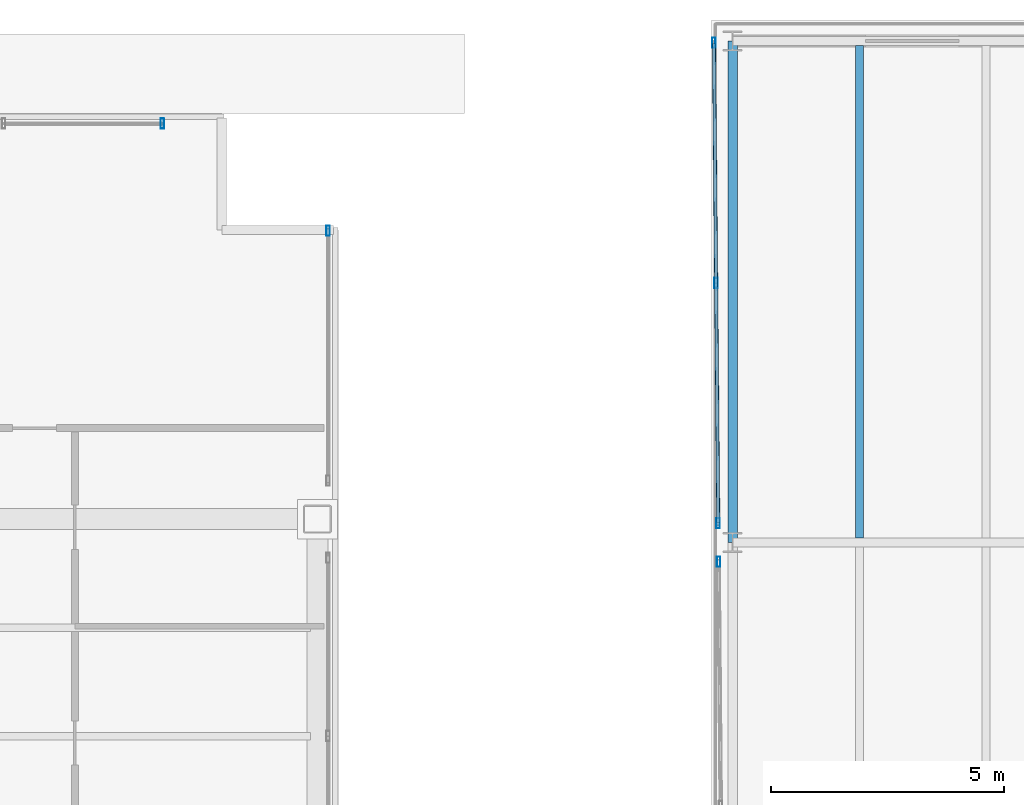
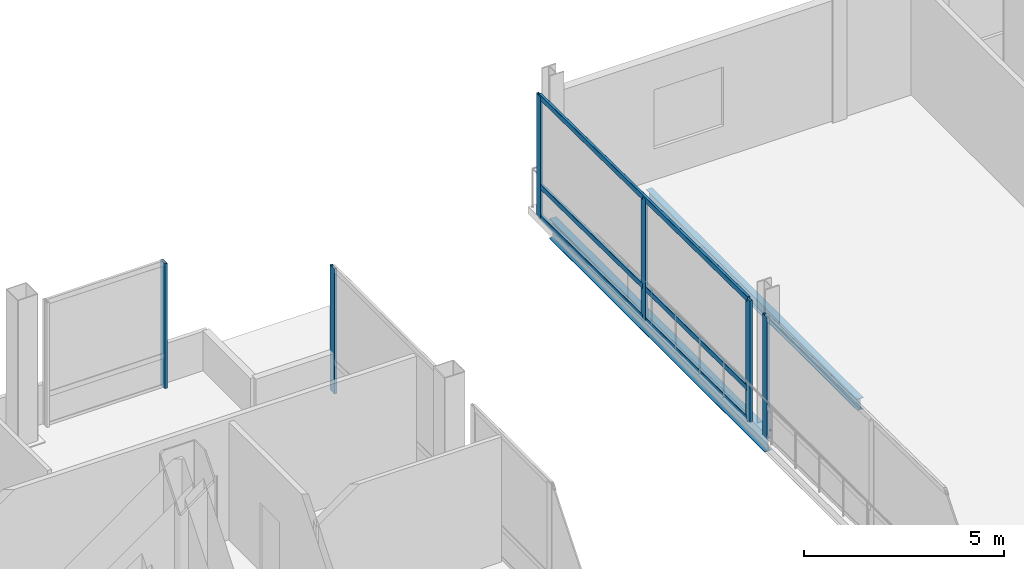
# One storey, part 22 of 34: 9 members, 2 beams, 4 elements without a shape of their own.
"""IFC4 building model written with IfcOpenShell, lengths in metres."""

from ifc_helpers import new_model, si_unit, direction, frame, origin, origin_2d, place, context, subcontext, project, spatial, hollow_rectangle, i_section, extrude, material, material_profile, profile_set, type_object, element, aggregate, save


model = new_model("IFC4")

# Units and contexts
model_context = context("Model", 3, precision=1e-05, world=origin(), true_north=direction((0.0, 1.0)))
body_context = subcontext(model_context, "Body", "Model", "MODEL_VIEW")
ifc_project = project(units=[si_unit("LENGTHUNIT", "METRE"), si_unit("AREAUNIT", "SQUARE_METRE"), si_unit("VOLUMEUNIT", "CUBIC_METRE"), si_unit("PLANEANGLEUNIT", "RADIAN"), si_unit("MASSUNIT", "GRAM", prefix="KILO")], contexts=[model_context])

# Site, building, storey
site_placement = place(None, origin())
site = spatial("IfcSite", under=ifc_project, at=site_placement, CompositionType="ELEMENT")
building_placement = place(site_placement, origin())
building = spatial("IfcBuilding", under=site, at=building_placement, Name="Noeulbin Bourse Tower", CompositionType="ELEMENT")
storey_placement = place(building_placement, frame((0.0, 0.0, 22.0)))
storey = spatial("IfcBuildingStorey", under=building, at=storey_placement, Name="L05", CompositionType="ELEMENT", Elevation=22.0)

# Beams
ifc_material_1 = material(Name="Steel S355", Category="steel")
ifc_material_profile_1 = material_profile(ifc_material_1, i_section(OverallWidth=0.199951171875, OverallDepth=0.60009765625, WebThickness=0.010986328125, FlangeThickness=0.01708984375, FilletRadius=0.02197265625, at=origin_2d()), Name="H-600x200x11x17", Category="LoadBearing")
ifc_profile_set_1 = profile_set([ifc_material_profile_1], Name="Steel S355")
beam_type_1 = type_object("IfcBeamType", Name="BM-GRD-600", PredefinedType="USERDEFINED", material=ifc_profile_set_1)
beam_1_placement = place(storey_placement, frame((60.449951171875, 37.800048828125, -0.52001953125), z_axis=(0.0, 1.0, 0.0), x_axis=(-1.0, 0.0, 0.0)))
element("IfcBeam", 1, at=beam_1_placement, inside=storey, type_object=beam_type_1, Name="Market Hall Girder NS L05-14", ObjectType="GIRDER", PredefinedType="USERDEFINED", context=body_context, shape_type="SweptSolid", body=[
    extrude(i_section(OverallWidth=0.199951171875, OverallDepth=0.60009765625, WebThickness=0.010986328125, FlangeThickness=0.01708984375, FilletRadius=0.02197265625, at=origin_2d()), origin(), (0.0, 0.0, 1.0), 10.75),
])
ifc_material_profile_2 = material_profile(ifc_material_1, i_section(OverallWidth=0.175048828125, OverallDepth=0.35009765625, WebThickness=0.007080078125, FlangeThickness=0.010986328125, FilletRadius=0.013916015625, at=origin_2d()), Name="H-350x175x7x11", Category="LoadBearing")
ifc_profile_set_2 = profile_set([ifc_material_profile_2], Name="Steel S355")
beam_type_2 = type_object("IfcBeamType", Name="BM-JST-350", PredefinedType="JOIST", material=ifc_profile_set_2)
beam_2_placement = place(storey_placement, frame((63.166748046875, 37.89990234375, -0.39501953125), z_axis=(0.0, 1.0, 0.0), x_axis=(-1.0, 0.0, 0.0)))
element("IfcBeam", 2, at=beam_2_placement, inside=storey, type_object=beam_type_2, Name="Market Hall Secondary Joist L05-04", PredefinedType="JOIST", context=body_context, shape_type="SweptSolid", body=[
    extrude(i_section(OverallWidth=0.175048828125, OverallDepth=0.35009765625, WebThickness=0.007080078125, FlangeThickness=0.010986328125, FilletRadius=0.013916015625, at=origin_2d()), origin(), (0.0, 0.0, 1.0), 10.550048828125),
])

# Curtain wall, member
ifc_material_2 = material(Name="Laminated Clear Low-E Glass", Category="glass")
curtain_wall_type_1 = type_object("IfcCurtainWallType", Name="CW-SYS-1", PredefinedType="NOTDEFINED", material=ifc_material_2)
curtain_wall_1_placement = place(storey_placement, origin())
curtain_wall_1 = element("IfcCurtainWall", 3, at=curtain_wall_1_placement, inside=storey, type_object=curtain_wall_type_1, Name="Unitised Curtain Wall CW-L05-MKT-W-S4", PredefinedType="NOTDEFINED")
ifc_material_3 = material(Name="Anodised Aluminium 6063-T6", Category="aluminium")
ifc_material_profile_3 = material_profile(ifc_material_3, hollow_rectangle(XDim=0.074951171875, YDim=0.219970703125, WallThickness=0.0048828125, InnerFilletRadius=0.00244140625, OuterFilletRadius=0.0048828125, at=origin_2d()), Name="ALU-MULL-75x220x5", Category="LoadBearing")
ifc_profile_set_3 = profile_set([ifc_material_profile_3], Name="Anodised Aluminium 6063-T6")
member_type_1 = type_object("IfcMemberType", Name="CW-SYS-1-MUL", PredefinedType="MULLION", material=ifc_profile_set_3)
member_1_placement = place(storey_placement, frame((60.149169921875, 37.385986328125, -0.02001953125), z_axis=(0.0, 0.0, 1.0), x_axis=(1.0, 0.0, 0.0)))
member_1 = element("IfcMember", 4, at=member_1_placement, type_object=member_type_1, Name="Curtain Wall Mullion CW-L05-MKT-W-S4-M02", PredefinedType="MULLION", context=body_context, shape_type="SweptSolid", body=[
    extrude(hollow_rectangle(XDim=0.074951171875, YDim=0.219970703125, WallThickness=0.0048828125, InnerFilletRadius=0.00244140625, OuterFilletRadius=0.0048828125, at=origin_2d()), origin(), (0.0, 0.0, 1.0), 3.7099609375),
])
aggregate(curtain_wall_1, [member_1])

# Curtain wall, members
curtain_wall_2_placement = place(storey_placement, origin())
curtain_wall_2 = element("IfcCurtainWall", 5, at=curtain_wall_2_placement, inside=storey, type_object=curtain_wall_type_1, Name="Unitised Curtain Wall CW-L05-MKT-W-S5", PredefinedType="NOTDEFINED")
member_2_placement = place(storey_placement, frame((60.1416015625, 38.214111328125, -0.02001953125), z_axis=(0.0, 0.0, 1.0), x_axis=(1.0, 0.0, 0.0)))
member_2 = element("IfcMember", 6, at=member_2_placement, type_object=member_type_1, Name="Curtain Wall Mullion CW-L05-MKT-W-S5-M00", PredefinedType="MULLION", context=body_context, shape_type="SweptSolid", body=[
    extrude(hollow_rectangle(XDim=0.074951171875, YDim=0.219970703125, WallThickness=0.0048828125, InnerFilletRadius=0.00244140625, OuterFilletRadius=0.0048828125, at=origin_2d()), origin(), (0.0, 0.0, 1.0), 3.7099609375),
])
member_3_placement = place(storey_placement, frame((60.095947265625, 43.362060546875, -0.02001953125), z_axis=(0.0, 0.0, 1.0), x_axis=(1.0, 0.0, 0.0)))
member_3 = element("IfcMember", 7, at=member_3_placement, type_object=member_type_1, Name="Curtain Wall Mullion CW-L05-MKT-W-S5-M01", PredefinedType="MULLION", context=body_context, shape_type="SweptSolid", body=[
    extrude(hollow_rectangle(XDim=0.074951171875, YDim=0.219970703125, WallThickness=0.0048828125, InnerFilletRadius=0.00244140625, OuterFilletRadius=0.0048828125, at=origin_2d()), origin(), (0.0, 0.0, 1.0), 3.7099609375),
])
member_4_placement = place(storey_placement, frame((60.05029296875, 48.510009765625, -0.02001953125), z_axis=(0.0, 0.0, 1.0), x_axis=(1.0, 0.0, 0.0)))
member_4 = element("IfcMember", 8, at=member_4_placement, type_object=member_type_1, Name="Curtain Wall Mullion CW-L05-MKT-W-S5-M02", PredefinedType="MULLION", context=body_context, shape_type="SweptSolid", body=[
    extrude(hollow_rectangle(XDim=0.074951171875, YDim=0.219970703125, WallThickness=0.0048828125, InnerFilletRadius=0.00244140625, OuterFilletRadius=0.0048828125, at=origin_2d()), origin(), (0.0, 0.0, 1.0), 3.7099609375),
])
ifc_material_profile_4 = material_profile(ifc_material_3, hollow_rectangle(XDim=0.074951171875, YDim=0.159912109375, WallThickness=0.0048828125, InnerFilletRadius=0.00244140625, OuterFilletRadius=0.0048828125, at=origin_2d()), Name="ALU-TRAN-75x160x5", Category="LoadBearing")
ifc_profile_set_4 = profile_set([ifc_material_profile_4], Name="Anodised Aluminium 6063-T6")
member_type_2 = type_object("IfcMemberType", Name="CW-SYS-1-TRN", PredefinedType="USERDEFINED", material=ifc_profile_set_4)
member_5_placement = place(storey_placement, frame((60.1416015625, 38.22412109375, 0.010009765625), z_axis=(-0.008885370304, 0.999960524318, 0.0), x_axis=(-0.999960524318, -0.008885370304, 0.0)))
member_5 = element("IfcMember", 9, at=member_5_placement, type_object=member_type_2, Name="Curtain Wall Transom CW-L05-MKT-W-S5-T00", ObjectType="TRANSOM", PredefinedType="USERDEFINED", context=body_context, shape_type="SweptSolid", body=[
    extrude(hollow_rectangle(XDim=0.074951171875, YDim=0.159912109375, WallThickness=0.0048828125, InnerFilletRadius=0.00244140625, OuterFilletRadius=0.0048828125, at=origin_2d()), origin(), (0.0, 0.0, 1.0), 10.2763671875),
])
member_6_placement = place(storey_placement, frame((60.1416015625, 38.22412109375, 0.949951171875), z_axis=(-0.008885370304, 0.999960524318, 0.0), x_axis=(-0.999960524318, -0.008885370304, 0.0)))
member_6 = element("IfcMember", 10, at=member_6_placement, type_object=member_type_2, Name="Curtain Wall Transom CW-L05-MKT-W-S5-T01", ObjectType="TRANSOM", PredefinedType="USERDEFINED", context=body_context, shape_type="SweptSolid", body=[
    extrude(hollow_rectangle(XDim=0.074951171875, YDim=0.159912109375, WallThickness=0.0048828125, InnerFilletRadius=0.00244140625, OuterFilletRadius=0.0048828125, at=origin_2d()), origin(), (0.0, 0.0, 1.0), 10.2763671875),
])
member_7_placement = place(storey_placement, frame((60.1416015625, 38.22412109375, 3.659912109375), z_axis=(-0.008885370304, 0.999960524318, 0.0), x_axis=(-0.999960524318, -0.008885370304, 0.0)))
member_7 = element("IfcMember", 11, at=member_7_placement, type_object=member_type_2, Name="Curtain Wall Transom CW-L05-MKT-W-S5-T02", ObjectType="TRANSOM", PredefinedType="USERDEFINED", context=body_context, shape_type="SweptSolid", body=[
    extrude(hollow_rectangle(XDim=0.074951171875, YDim=0.159912109375, WallThickness=0.0048828125, InnerFilletRadius=0.00244140625, OuterFilletRadius=0.0048828125, at=origin_2d()), origin(), (0.0, 0.0, 1.0), 10.2763671875),
])
aggregate(curtain_wall_2, [member_2, member_3, member_4, member_5, member_6, member_7])

# Curtain wall, member
ifc_material_4 = material(Name="Dark Solar-Control Double Glazing", Category="glass")
curtain_wall_type_2 = type_object("IfcCurtainWallType", Name="CW-SYS-2", PredefinedType="NOTDEFINED", material=ifc_material_4)
curtain_wall_3_placement = place(storey_placement, origin())
curtain_wall_3 = element("IfcCurtainWall", 12, at=curtain_wall_3_placement, inside=storey, type_object=curtain_wall_type_2, Name="Unitised Curtain Wall CW-L05-N-S6", PredefinedType="NOTDEFINED")
ifc_material_profile_5 = material_profile(ifc_material_3, hollow_rectangle(XDim=0.074951171875, YDim=0.219970703125, WallThickness=0.0048828125, InnerFilletRadius=0.00244140625, OuterFilletRadius=0.0048828125, at=origin_2d()), Name="ALU-MULL-75x220x5", Category="LoadBearing")
ifc_profile_set_5 = profile_set([ifc_material_profile_5], Name="Anodised Aluminium 6063-T6")
member_type_3 = type_object("IfcMemberType", Name="CW-SYS-2-MUL", PredefinedType="MULLION", material=ifc_profile_set_5)
member_8_placement = place(storey_placement, frame((48.22509765625, 46.780029296875, -0.02001953125), z_axis=(0.0, 0.0, 1.0), x_axis=(1.0, 0.0, 0.0)))
member_8 = element("IfcMember", 13, at=member_8_placement, type_object=member_type_3, Name="Curtain Wall Mullion CW-L05-N-S6-M01", PredefinedType="MULLION", context=body_context, shape_type="SweptSolid", body=[
    extrude(hollow_rectangle(XDim=0.074951171875, YDim=0.219970703125, WallThickness=0.0048828125, InnerFilletRadius=0.00244140625, OuterFilletRadius=0.0048828125, at=origin_2d()), origin(), (0.0, 0.0, 1.0), 3.820068359375),
])
aggregate(curtain_wall_3, [member_8])

curtain_wall_4_placement = place(storey_placement, origin())
curtain_wall_4 = element("IfcCurtainWall", 14, at=curtain_wall_4_placement, inside=storey, type_object=curtain_wall_type_2, Name="Unitised Curtain Wall CW-L05-E-S4", PredefinedType="NOTDEFINED")
member_9_placement = place(storey_placement, frame((51.780029296875, 44.47998046875, -0.02001953125), z_axis=(0.0, 0.0, 1.0), x_axis=(1.0, 0.0, 0.0)))
member_9 = element("IfcMember", 15, at=member_9_placement, type_object=member_type_3, Name="Curtain Wall Mullion CW-L05-E-S4-M01", PredefinedType="MULLION", context=body_context, shape_type="SweptSolid", body=[
    extrude(hollow_rectangle(XDim=0.074951171875, YDim=0.219970703125, WallThickness=0.0048828125, InnerFilletRadius=0.00244140625, OuterFilletRadius=0.0048828125, at=origin_2d()), origin(), (0.0, 0.0, 1.0), 3.820068359375),
])
aggregate(curtain_wall_4, [member_9])

save(model, "model.ifc")
